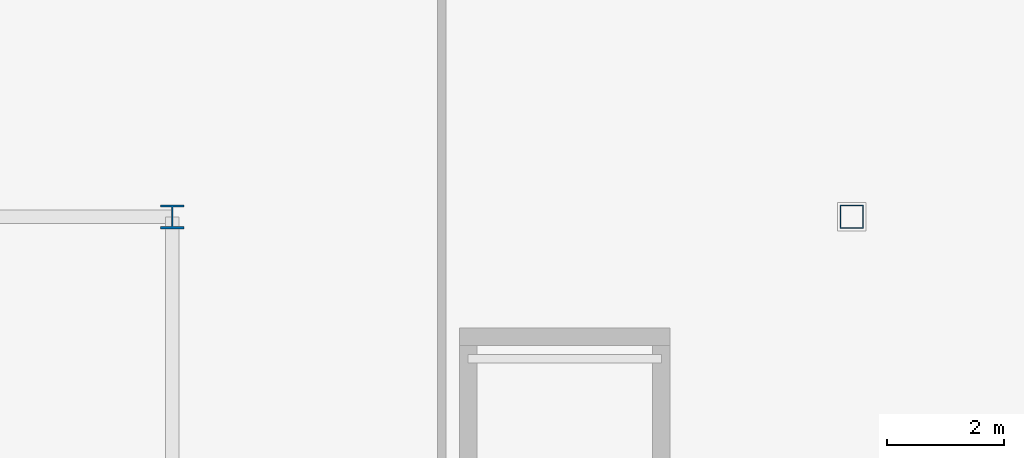
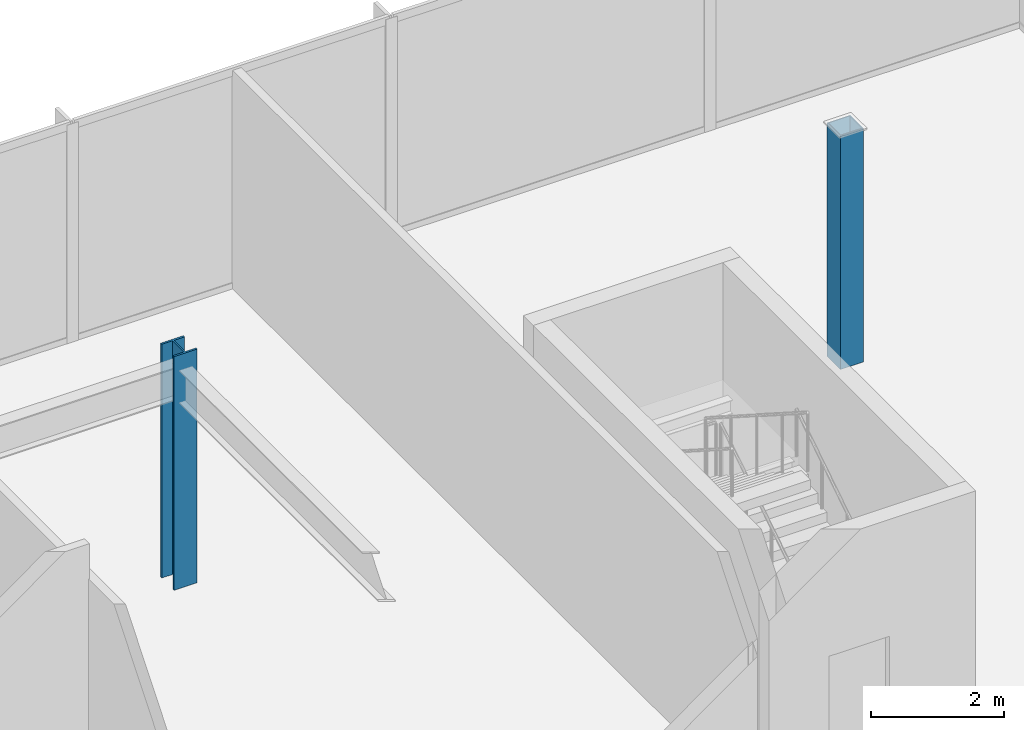
# One storey, part 4 of 42: 2 columns.
"""IFC4 building model written with IfcOpenShell, lengths in metres."""

import ifcopenshell
import ifcopenshell.guid

model = None  # the IFC model being written
_history = None  # IfcOwnerHistory: only IFC2X3 demands one
_inside = {}  # id of a spatial element -> (the spatial element, [elements in it])
_under = {}  # id of a project, library or spatial element -> (it, [spatial elements below it])
_declared = {}  # id of a project -> (the project, [libraries it declares])
_typed = {}  # id of a type object -> (the type object, [elements of that type])
_made_of = {}  # id of a material, layer set ... -> (it, [elements and type objects made of it])


def new_model(schema):
    """Start an empty IFC model of exactly this schema.

    Asked for "IFC4X3", IfcOpenShell would pick the latest addendum, in which some entities
    have other attributes; the version numbers below select the first issue.
    IFC2X3 requires an IfcOwnerHistory on every rooted entity: one is made here for all.
    """
    global model, _history
    if schema == "IFC4X3":
        model = ifcopenshell.file(schema_version=(4, 3, 0, 0))
    else:
        model = ifcopenshell.file(schema=schema)
    _inside.clear()
    _under.clear()
    _declared.clear()
    _typed.clear()
    _made_of.clear()
    _history = None
    if model.schema == "IFC2X3":
        org = make("IfcOrganization", Name="unknown")
        user = make(
            "IfcPersonAndOrganization",
            ThePerson=make("IfcPerson", FamilyName="unknown"),
            TheOrganization=org,
        )
        app = make(
            "IfcApplication",
            ApplicationDeveloper=org,
            Version="unknown",
            ApplicationFullName="unknown",
            ApplicationIdentifier="unknown",
        )
        _history = make(
            "IfcOwnerHistory",
            OwningUser=user,
            OwningApplication=app,
            ChangeAction="ADDED",
            CreationDate=0,
        )
    return model


def make(cls, **values):
    """One entity of the class cls with the attributes given. An attribute that is None is left unset."""
    return model.create_entity(
        cls, **{name: value for name, value in values.items() if value is not None}
    )


def rooted(cls, **values):
    """An entity with a GlobalId (a new one), such as an element, a storey or a relation."""
    return make(cls, GlobalId=ifcopenshell.guid.new(), OwnerHistory=_history, **values)


def si_unit(unit_type, name, prefix=None):
    """IfcSIUnit, for example si_unit("LENGTHUNIT", "METRE", prefix="MILLI")."""
    return make("IfcSIUnit", UnitType=unit_type, Prefix=prefix, Name=name)


def assignment(units):
    """IfcUnitAssignment: the units of a project."""
    return None if units is None else make("IfcUnitAssignment", Units=units)


def point(xyz):
    """IfcCartesianPoint."""
    return None if xyz is None else make("IfcCartesianPoint", Coordinates=xyz)


def direction(xyz):
    """IfcDirection."""
    return None if xyz is None else make("IfcDirection", DirectionRatios=xyz)


def frame(location, z_axis=None, x_axis=None):
    """IfcAxis2Placement3D, a coordinate frame: its origin and axes. An axis left out is left unset."""
    return make(
        "IfcAxis2Placement3D",
        Location=point(location),
        Axis=direction(z_axis),
        RefDirection=direction(x_axis),
    )


def frame_2d(location, x_axis=None):
    """IfcAxis2Placement2D, a coordinate frame in the plane: its origin and x axis."""
    return make(
        "IfcAxis2Placement2D", Location=point(location), RefDirection=direction(x_axis)
    )


def origin():
    """The frame at (0, 0, 0) with its axes left unset."""
    return frame((0.0, 0.0, 0.0))


def origin_2d():
    """The frame at (0, 0) in the plane with its x axis left unset."""
    return frame_2d((0.0, 0.0))


def place(relative_to, where):
    """IfcLocalPlacement: puts the frame where relative to a parent placement (None: the world)."""
    return make(
        "IfcLocalPlacement", PlacementRelTo=relative_to, RelativePlacement=where
    )


def context(
    kind, dimensions, precision=None, world=None, true_north=None, identifier=None
):
    """IfcGeometricRepresentationContext, for example the 3D "Model" context."""
    return make(
        "IfcGeometricRepresentationContext",
        ContextIdentifier=identifier,
        ContextType=kind,
        CoordinateSpaceDimension=dimensions,
        Precision=precision,
        WorldCoordinateSystem=world,
        TrueNorth=true_north,
    )


def subcontext(parent, identifier, kind, view, scale=None):
    """IfcGeometricRepresentationSubContext, for example "Body" below "Model"."""
    return make(
        "IfcGeometricRepresentationSubContext",
        ContextIdentifier=identifier,
        ContextType=kind,
        ParentContext=parent,
        TargetScale=scale,
        TargetView=view,
    )


def project(units=None, contexts=None):
    """IfcProject with its units and contexts."""
    return rooted(
        "IfcProject",
        Name="project",
        RepresentationContexts=contexts,
        UnitsInContext=assignment(units),
    )


def spatial(cls, under=None, at=None, **own):
    """A site, building, storey or space (cls), placed at a placement, below another one or the project."""
    s = rooted(cls, ObjectPlacement=at, **own)
    if under is not None:
        _under.setdefault(under.id(), (under, []))[1].append(s)
    return s


def profile(cls, at=None, kind="AREA", **sizes):
    """A parametric profile (cls). Its sizes go by their IFC names, for example OverallWidth=200.0."""
    return make(cls, ProfileType=kind, Position=at, **sizes)


def hollow_rectangle(**sizes):
    """IfcRectangleHollowProfileDef."""
    return profile("IfcRectangleHollowProfileDef", **sizes)


def i_section(**sizes):
    """IfcIShapeProfileDef."""
    return profile("IfcIShapeProfileDef", **sizes)


def extrude(swept, where, along, depth):
    """IfcExtrudedAreaSolid: the profile swept, set in the frame where, extruded along a direction by depth."""
    return make(
        "IfcExtrudedAreaSolid",
        SweptArea=swept,
        Position=where,
        ExtrudedDirection=direction(along),
        Depth=depth,
    )


def shape(context_of_items, identifier, shape_type, items):
    """IfcShapeRepresentation: the items that make up one representation, for example the "Body"."""
    return make(
        "IfcShapeRepresentation",
        ContextOfItems=context_of_items,
        RepresentationIdentifier=identifier,
        RepresentationType=shape_type,
        Items=items,
    )


def material(Name=None, Category=None):
    """IfcMaterial."""
    return make("IfcMaterial", Name=Name, Category=Category)


def material_profile(
    of_material, cross_section, Name=None, Category=None, Priority=None
):
    """IfcMaterialProfile: a cross section and its material."""
    return make(
        "IfcMaterialProfile",
        Name=Name,
        Material=of_material,
        Profile=cross_section,
        Priority=Priority,
        Category=Category,
    )


def profile_set(profiles, Name=None, composite=None):
    """IfcMaterialProfileSet."""
    return make(
        "IfcMaterialProfileSet",
        Name=Name,
        MaterialProfiles=profiles,
        CompositeProfile=composite,
    )


def made_of(thing, what):
    """Note that an element or type object is made of a material, layer set ...; save() writes the relation."""
    if what is not None:
        _made_of.setdefault(what.id(), (what, []))[1].append(thing)
    return thing


def type_object(cls, material=None, **own):
    """A type object (cls), such as IfcWallType, which elements share."""
    return made_of(rooted(cls, **own), material)


def element(
    cls,
    number,
    at=None,
    inside=None,
    cuts=None,
    type_object=None,
    material=None,
    context=None,
    identifier="Body",
    shape_type=None,
    held_by="IfcProductDefinitionShape",
    body=None,
    shapes=None,
    **own,
):
    """One element of the class cls, such as IfcWall. Its Tag is "e" and its number.

    at: its placement. inside: the storey or other place that contains it. cuts: it is an
    opening in that element (IfcRelVoidsElement). A single representation is given by context,
    identifier, shape_type and body (its items); several are given by shapes. held_by: the class
    of the entity that holds the representations. save() writes the other relations.
    """
    e = rooted(cls, Tag="e%d" % number, ObjectPlacement=at, **own)
    if body is not None:
        shapes = [shape(context, identifier, shape_type, body)]
    if shapes is not None:
        e.Representation = make(held_by, Representations=shapes)
    if inside is not None:
        _inside.setdefault(inside.id(), (inside, []))[1].append(e)
    if cuts is not None:
        rooted(
            "IfcRelVoidsElement", RelatingBuildingElement=cuts, RelatedOpeningElement=e
        )
    if type_object is not None:
        _typed.setdefault(type_object.id(), (type_object, []))[1].append(e)
    return made_of(e, material)


def aggregate(whole, parts):
    """IfcRelAggregates: a whole, such as a stair, and the parts it consists of."""
    return rooted("IfcRelAggregates", RelatingObject=whole, RelatedObjects=parts)


def save(model, path):
    """Write the relations noted so far, then the file.

    IfcRelAggregates (storeys below a building ...), IfcRelContainedInSpatialStructure (elements
    in a storey), IfcRelDefinesByType, IfcRelAssociatesMaterial and IfcRelDeclares: one each for
    every whole, place, type object, material and project.
    """
    for whole, parts in _under.values():
        aggregate(whole, parts)
    for where, things in _inside.values():
        rooted(
            "IfcRelContainedInSpatialStructure",
            RelatedElements=things,
            RelatingStructure=where,
        )
    for kind, things in _typed.values():
        rooted("IfcRelDefinesByType", RelatedObjects=things, RelatingType=kind)
    for what, things in _made_of.values():
        rooted("IfcRelAssociatesMaterial", RelatedObjects=things, RelatingMaterial=what)
    for by, libraries in _declared.values():
        rooted("IfcRelDeclares", RelatingContext=by, RelatedDefinitions=libraries)
    model.write(path)


model = new_model("IFC4")

# Units and contexts
model_context = context("Model", 3, precision=1e-05, world=origin(), true_north=direction((0.0, 1.0)))
body_context = subcontext(model_context, "Body", "Model", "MODEL_VIEW")
ifc_project = project(units=[si_unit("LENGTHUNIT", "METRE"), si_unit("AREAUNIT", "SQUARE_METRE"), si_unit("VOLUMEUNIT", "CUBIC_METRE"), si_unit("PLANEANGLEUNIT", "RADIAN"), si_unit("MASSUNIT", "GRAM", prefix="KILO")], contexts=[model_context])

# Site, building, storey
site_placement = place(None, origin())
site = spatial("IfcSite", under=ifc_project, at=site_placement, CompositionType="ELEMENT")
building_placement = place(site_placement, origin())
building = spatial("IfcBuilding", under=site, at=building_placement, Name="Orvanel Arch Residences", CompositionType="ELEMENT")
storey_placement = place(building_placement, frame((0.0, 0.0, 9.800048828125)))
storey = spatial("IfcBuildingStorey", under=building, at=storey_placement, Name="L02", CompositionType="ELEMENT", Elevation=9.800048828125)

# Columns
ifc_material_1 = material(Name="Structural steel AS/NZS 1163 C450L0 (Grade 450)", Category="steel")
ifc_material_profile_1 = material_profile(ifc_material_1, hollow_rectangle(XDim=0.39990234375, YDim=0.39990234375, WallThickness=0.01611328125, at=origin_2d()), Name="SHS400x400x16")
ifc_profile_set_1 = profile_set([ifc_material_profile_1], Name="Structural steel AS/NZS 1163 C450L0 (Grade 450)")
column_type_1 = type_object("IfcColumnType", Name="OC-400SHS", PredefinedType="COLUMN", material=ifc_profile_set_1)
column_1_placement = place(storey_placement, frame((57.800048828125, 48.0, 0.0), z_axis=(0.0, 0.0, 1.0), x_axis=(1.0, 0.0, 0.0)))
element("IfcColumn", 1, at=column_1_placement, inside=storey, type_object=column_type_1, Name="L02 Auxiliary Podium Column 06", PredefinedType="COLUMN", context=body_context, shape_type="SweptSolid", body=[
    extrude(hollow_rectangle(XDim=0.39990234375, YDim=0.39990234375, WallThickness=0.01611328125, at=origin_2d()), origin(), (0.0, 0.0, 1.0), 4.300048828125),
])
ifc_material_2 = material(Name="Structural steel AS/NZS 3679.1 Grade 300 (300 MPa)", Category="steel")
ifc_material_profile_2 = material_profile(ifc_material_2, i_section(OverallWidth=0.39990234375, OverallDepth=0.409912109375, WebThickness=0.02490234375, FlangeThickness=0.035888671875, at=origin_2d()), Name="400WC328")
ifc_profile_set_2 = profile_set([ifc_material_profile_2], Name="Structural steel AS/NZS 3679.1 Grade 300 (300 MPa)")
column_type_2 = type_object("IfcColumnType", Name="SC-400WC", PredefinedType="COLUMN", material=ifc_profile_set_2)
column_2_placement = place(storey_placement, frame((46.199951171875, 48.0, 0.0), z_axis=(0.0, 0.0, 1.0), x_axis=(1.0, 0.0, 0.0)))
element("IfcColumn", 2, at=column_2_placement, inside=storey, type_object=column_type_2, Name="L02 Podium Grid Column 11", PredefinedType="COLUMN", context=body_context, shape_type="SweptSolid", body=[
    extrude(i_section(OverallWidth=0.39990234375, OverallDepth=0.409912109375, WebThickness=0.02490234375, FlangeThickness=0.035888671875, at=origin_2d()), origin(), (0.0, 0.0, 1.0), 4.300048828125),
])

save(model, "model.ifc")
